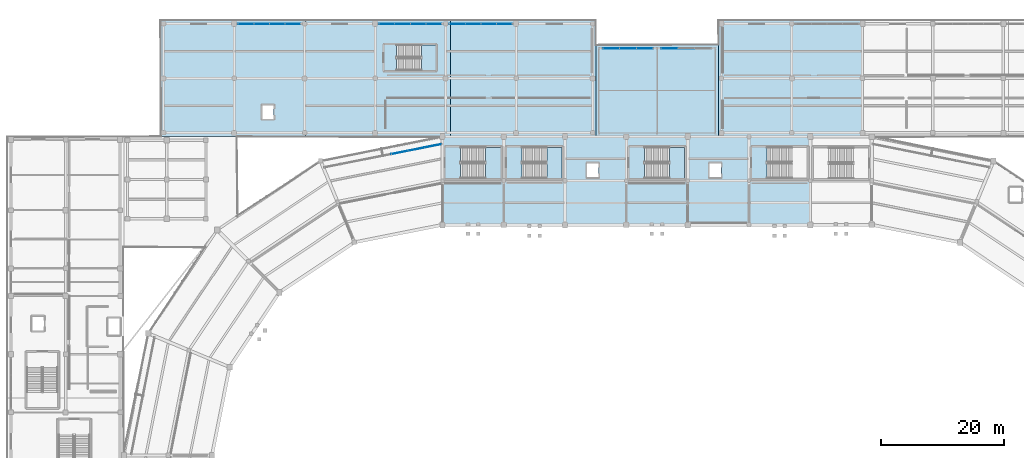
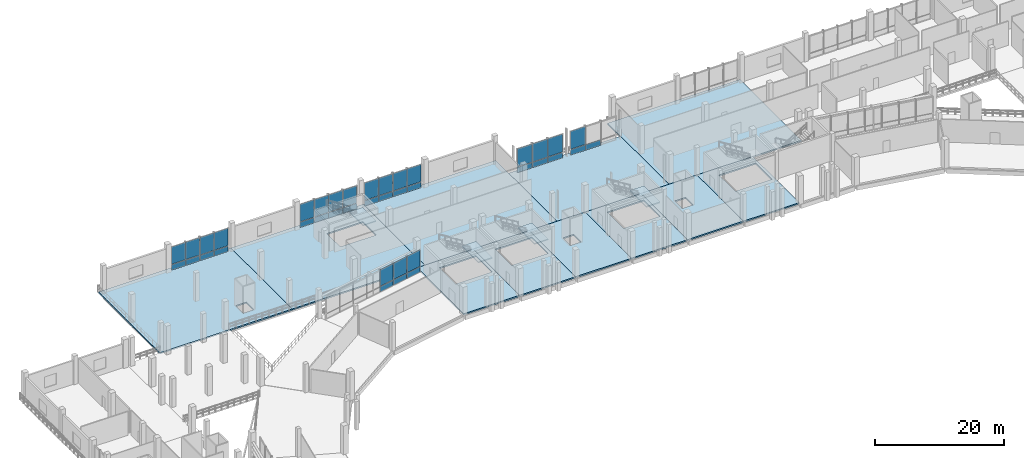
# One storey, part 68 of 114: 39 plates, 15 slabs, 10 elements without a shape of their own.
"""IFC4 building model written with IfcOpenShell, lengths in metres."""

from ifc_helpers import new_model, si_unit, direction, frame, origin, origin_2d, place, context, subcontext, project, spatial, polyline, rectangle, outline, extrude, material, layer, layer_set, type_object, element, aggregate, save


model = new_model("IFC4")

# Units and contexts
model_context = context("Model", 3, precision=1e-05, world=origin(), true_north=direction((0.0, 1.0)))
body_context = subcontext(model_context, "Body", "Model", "MODEL_VIEW")
ifc_project = project(units=[si_unit("LENGTHUNIT", "METRE"), si_unit("AREAUNIT", "SQUARE_METRE"), si_unit("VOLUMEUNIT", "CUBIC_METRE"), si_unit("PLANEANGLEUNIT", "RADIAN"), si_unit("MASSUNIT", "GRAM", prefix="KILO")], contexts=[model_context])

# Site, building, storey
site_placement = place(None, origin())
site = spatial("IfcSite", under=ifc_project, at=site_placement, CompositionType="ELEMENT")
building_placement = place(site_placement, origin())
building = spatial("IfcBuilding", under=site, at=building_placement, Name="Candeia Ridge Stadium", CompositionType="ELEMENT")
storey_placement = place(building_placement, frame((0.0, 0.0, 5.39990234375)))
storey = spatial("IfcBuildingStorey", under=building, at=storey_placement, Name="L01", CompositionType="ELEMENT", Elevation=5.39990234375)

# Slabs
ifc_material_1 = material(Name="Concrete C40/50", Category="concrete")
ifc_layer_1 = layer(ifc_material_1, 0.260009765625, Name="Concrete C40/50", Category="concrete")
ifc_layer_set_1 = layer_set([ifc_layer_1], Name="Concrete C40/50")
slab_type_1 = type_object("IfcSlabType", Name="Concourse Structural Slab 260", PredefinedType="FLOOR", material=ifc_layer_set_1)
slab_1_placement = place(storey_placement, frame((0.0, 0.0, -0.260009765625)))
element("IfcSlab", 1, at=slab_1_placement, inside=storey, type_object=slab_type_1, Name="Bowl concourse sector slab L01 bay 02 SLB-L01-0038", PredefinedType="FLOOR", context=body_context, shape_type="SweptSolid", body=[
    extrude(outline(polyline([(121.0, 132.60009765625), (121.0, 147.0), (131.0, 147.0), (131.0, 132.60009765625), (121.0, 132.60009765625)]), holes=[polyline([(123.95068359375, 145.25), (123.95068359375, 140.199951171875), (130.5, 140.199951171875), (130.5, 145.25), (123.95068359375, 145.25)])]), origin(), (0.0, 0.0, 1.0), 0.260009765625),
])
slab_2_placement = place(storey_placement, frame((0.0, 0.0, -0.260009765625)))
element("IfcSlab", 2, at=slab_2_placement, inside=storey, type_object=slab_type_1, Name="Bowl concourse sector slab L01 bay 03 SLB-L01-0039", PredefinedType="FLOOR", context=body_context, shape_type="SweptSolid", body=[
    extrude(outline(polyline([(111.0, 132.60009765625), (111.0, 147.0), (121.0, 147.0), (121.0, 132.60009765625), (111.0, 132.60009765625)]), holes=[polyline([(116.449951171875, 140.35009765625), (116.449951171875, 142.64990234375), (114.550048828125, 142.64990234375), (114.550048828125, 140.35009765625), (116.449951171875, 140.35009765625)])]), origin(), (0.0, 0.0, 1.0), 0.260009765625),
])
slab_3_placement = place(storey_placement, frame((0.0, 0.0, -0.260009765625)))
element("IfcSlab", 3, at=slab_3_placement, inside=storey, type_object=slab_type_1, Name="Bowl concourse sector slab L01 bay 04 SLB-L01-0040", PredefinedType="FLOOR", context=body_context, shape_type="SweptSolid", body=[
    extrude(outline(polyline([(101.0, 132.60009765625), (101.0, 147.0), (111.0, 147.0), (111.0, 132.60009765625), (101.0, 132.60009765625)]), holes=[polyline([(103.95068359375, 145.25), (103.95068359375, 140.199951171875), (110.5, 140.199951171875), (110.5, 145.25), (103.95068359375, 145.25)])]), origin(), (0.0, 0.0, 1.0), 0.260009765625),
])
slab_4_placement = place(storey_placement, frame((0.0, 0.0, -0.260009765625)))
element("IfcSlab", 4, at=slab_4_placement, inside=storey, type_object=slab_type_1, Name="Bowl concourse sector slab L01 bay 05 SLB-L01-0041", PredefinedType="FLOOR", context=body_context, shape_type="SweptSolid", body=[
    extrude(outline(polyline([(91.0, 132.60009765625), (91.0, 147.0), (101.0, 147.0), (101.0, 132.60009765625), (91.0, 132.60009765625)]), holes=[polyline([(96.449951171875, 140.35009765625), (96.449951171875, 142.64990234375), (94.550048828125, 142.64990234375), (94.550048828125, 140.35009765625), (96.449951171875, 140.35009765625)])]), origin(), (0.0, 0.0, 1.0), 0.260009765625),
])
slab_5_placement = place(storey_placement, frame((0.0, 0.0, -0.260009765625)))
element("IfcSlab", 5, at=slab_5_placement, inside=storey, type_object=slab_type_1, Name="Bowl concourse sector slab L01 bay 06 SLB-L01-0042", PredefinedType="FLOOR", context=body_context, shape_type="SweptSolid", body=[
    extrude(outline(polyline([(81.0, 132.60009765625), (81.0, 147.0), (91.0, 147.0), (91.0, 132.60009765625), (81.0, 132.60009765625)]), holes=[polyline([(83.95068359375, 140.199951171875), (90.5, 140.199951171875), (90.5, 145.25), (83.95068359375, 145.25), (83.95068359375, 140.199951171875)])]), origin(), (0.0, 0.0, 1.0), 0.260009765625),
])
slab_6_placement = place(storey_placement, frame((0.0, 0.0, -0.260009765625)))
element("IfcSlab", 6, at=slab_6_placement, inside=storey, type_object=slab_type_1, Name="Bowl concourse sector slab L01 bay 07 SLB-L01-0043", PredefinedType="FLOOR", context=body_context, shape_type="SweptSolid", body=[
    extrude(outline(polyline([(71.0, 132.60009765625), (71.0, 147.0), (81.0, 147.0), (81.0, 132.60009765625), (71.0, 132.60009765625)]), holes=[polyline([(73.95068359375, 140.199951171875), (80.5, 140.199951171875), (80.5, 145.25), (73.95068359375, 145.25), (73.95068359375, 140.199951171875)])]), origin(), (0.0, 0.0, 1.0), 0.260009765625),
])
slab_7_placement = place(storey_placement, frame((0.0, 0.0, -0.260009765625)))
element("IfcSlab", 7, at=slab_7_placement, inside=storey, type_object=slab_type_1, Name="Wing floor slab nw_n SLB-L01-0232", PredefinedType="FLOOR", context=body_context, shape_type="SweptSolid", body=[
    extrude(outline(polyline([(25.0, 147.0), (25.0, 166.0), (48.666748046875, 166.0), (48.666748046875, 147.0), (25.0, 147.0)]), holes=[polyline([(41.550048828125, 149.85009765625), (43.449951171875, 149.85009765625), (43.449951171875, 152.14990234375), (41.550048828125, 152.14990234375), (41.550048828125, 149.85009765625)])]), origin(), (0.0, 0.0, 1.0), 0.260009765625),
])
slab_8_placement = place(storey_placement, frame((0.0, 0.0, -0.260009765625)))
element("IfcSlab", 8, at=slab_8_placement, inside=storey, type_object=slab_type_1, Name="Wing floor slab nw_n SLB-L01-0233", PredefinedType="FLOOR", context=body_context, shape_type="SweptSolid", body=[
    extrude(outline(polyline([(48.666748046875, 147.0), (48.666748046875, 166.0), (72.333251953125, 166.0), (72.333251953125, 147.0), (48.666748046875, 147.0)]), holes=[polyline([(63.50048828125, 161.949951171875), (63.50048828125, 157.800048828125), (69.89990234375, 157.800048828125), (69.89990234375, 161.949951171875), (63.50048828125, 161.949951171875)])]), origin(), (0.0, 0.0, 1.0), 0.260009765625),
])
slab_9_placement = place(storey_placement, frame((0.0, 0.0, -0.260009765625)))
element("IfcSlab", 9, at=slab_9_placement, inside=storey, type_object=slab_type_1, Name="Wing floor slab nw_n SLB-L01-0234", PredefinedType="FLOOR", context=body_context, shape_type="SweptSolid", body=[
    extrude(outline(polyline([(72.333251953125, 147.0), (72.333251953125, 166.0), (96.0, 166.0), (96.0, 147.0), (72.333251953125, 147.0)])), origin(), (0.0, 0.0, 1.0), 0.260009765625),
])
slab_10_placement = place(storey_placement, frame((0.0, 0.0, -0.260009765625)))
element("IfcSlab", 10, at=slab_10_placement, inside=storey, type_object=slab_type_1, Name="Wing floor slab ne_n SLB-L01-0235", PredefinedType="FLOOR", context=body_context, shape_type="SweptSolid", body=[
    extrude(outline(polyline([(116.0, 147.0), (116.0, 166.0), (139.666748046875, 166.0), (139.666748046875, 147.0), (116.0, 147.0)])), origin(), (0.0, 0.0, 1.0), 0.260009765625),
])

# Stair, slab
stair_type_1 = type_object("IfcStairType", Name="Enclosed Core Half-Turn Stair 2450", PredefinedType="HALF_TURN_STAIR", material=ifc_material_1)
stair_1_placement = place(storey_placement, origin())
stair_1 = element("IfcStair", 11, at=stair_1_placement, inside=storey, type_object=stair_type_1, Name="L01 Enclosed exit stair ST01", PredefinedType="HALF_TURN_STAIR")
ifc_layer_2 = layer(ifc_material_1, 0.199951171875, Name="Concrete C40/50", Category="concrete")
ifc_layer_set_2 = layer_set([ifc_layer_2], Name="Concrete C40/50")
slab_type_2 = type_object("IfcSlabType", Name="Core Stair Landing Slab 200", PredefinedType="LANDING", material=ifc_layer_set_2)
slab_11_placement = place(storey_placement, frame((0.0, 0.0, 2.5)))
slab_11 = element("IfcSlab", 12, at=slab_11_placement, type_object=slab_type_2, Name="ST01 landing 1", PredefinedType="LANDING", context=body_context, shape_type="SweptSolid", body=[
    extrude(outline(polyline([(78.010009765625, 140.199951171875), (80.5, 140.199951171875), (80.5, 145.25), (78.010009765625, 145.25), (78.010009765625, 140.199951171875)])), origin(), (0.0, 0.0, 1.0), 0.2001953125),
])
aggregate(stair_1, [slab_11])

stair_2_placement = place(storey_placement, origin())
stair_2 = element("IfcStair", 13, at=stair_2_placement, inside=storey, type_object=stair_type_1, Name="L01 Enclosed exit stair ST09", PredefinedType="HALF_TURN_STAIR")
slab_12_placement = place(storey_placement, frame((0.0, 0.0, 2.5)))
slab_12 = element("IfcSlab", 14, at=slab_12_placement, type_object=slab_type_2, Name="ST09 landing 1", PredefinedType="LANDING", context=body_context, shape_type="SweptSolid", body=[
    extrude(outline(polyline([(88.010009765625, 140.199951171875), (90.5, 140.199951171875), (90.5, 145.25), (88.010009765625, 145.25), (88.010009765625, 140.199951171875)])), origin(), (0.0, 0.0, 1.0), 0.2001953125),
])
aggregate(stair_2, [slab_12])

stair_type_2 = type_object("IfcStairType", Name="Enclosed Wing Half-Turn Stair 2000", PredefinedType="HALF_TURN_STAIR", material=ifc_material_1)
stair_3_placement = place(storey_placement, origin())
stair_3 = element("IfcStair", 15, at=stair_3_placement, inside=storey, type_object=stair_type_2, Name="L01 Enclosed exit stair ST15", PredefinedType="HALF_TURN_STAIR")
slab_13_placement = place(storey_placement, frame((0.0, 0.0, 2.5)))
slab_13 = element("IfcSlab", 16, at=slab_13_placement, type_object=slab_type_2, Name="ST15 landing 1", PredefinedType="LANDING", context=body_context, shape_type="SweptSolid", body=[
    extrude(outline(polyline([(67.56005859375, 157.800048828125), (69.89990234375, 157.800048828125), (69.89990234375, 161.949951171875), (67.56005859375, 161.949951171875), (67.56005859375, 157.800048828125)])), origin(), (0.0, 0.0, 1.0), 0.2001953125),
])
aggregate(stair_3, [slab_13])

stair_4_placement = place(storey_placement, origin())
stair_4 = element("IfcStair", 17, at=stair_4_placement, inside=storey, type_object=stair_type_1, Name="L01 Enclosed exit stair ST17", PredefinedType="HALF_TURN_STAIR")
slab_14_placement = place(storey_placement, frame((0.0, 0.0, 2.5)))
slab_14 = element("IfcSlab", 18, at=slab_14_placement, type_object=slab_type_2, Name="ST17 landing 1", PredefinedType="LANDING", context=body_context, shape_type="SweptSolid", body=[
    extrude(outline(polyline([(108.010009765625, 140.199951171875), (110.5, 140.199951171875), (110.5, 145.25), (108.010009765625, 145.25), (108.010009765625, 140.199951171875)])), origin(), (0.0, 0.0, 1.0), 0.2001953125),
])
aggregate(stair_4, [slab_14])

# Curtain wall, plates
ifc_material_2 = material(Name="Aluminium Anodized Warm Bronze", Category="aluminium")
curtain_wall_type_1 = type_object("IfcCurtainWallType", Name="Cardinal Entrance Gate Tall Glazed Curtain Wall", PredefinedType="NOTDEFINED", material=ifc_material_2)
curtain_wall_1_placement = place(storey_placement, origin())
curtain_wall_1 = element("IfcCurtainWall", 19, at=curtain_wall_1_placement, inside=storey, type_object=curtain_wall_type_1, Name="Unitised curtain wall CW-WNG-L01-147", PredefinedType="NOTDEFINED")
ifc_material_3 = material(Name="Laminated Acoustic Glazing", Category="glass")
ifc_layer_3 = layer(ifc_material_3, 0.035888671875, Name="Laminated Acoustic Glazing", Category="glass")
ifc_layer_set_3 = layer_set([ifc_layer_3], Name="Laminated Acoustic Glazing")
plate_type_1 = type_object("IfcPlateType", Name="Gate Tall Laminated Glass Panel GP3", PredefinedType="CURTAIN_PANEL", material=ifc_layer_set_3)
plate_1_placement = place(storey_placement, frame((98.523193359375, 161.39990234375, 1.14013671875), z_axis=(0.0, 0.0, 1.0), x_axis=(1.0, 0.0, 0.0)))
plate_1 = element("IfcPlate", 20, at=plate_1_placement, type_object=plate_type_1, Name="Curtain wall vision glass panel CW-WNG-L01-147-GP0", PredefinedType="CURTAIN_PANEL", context=body_context, shape_type="SweptSolid", body=[
    extrude(rectangle(XDim=2.65673828125, YDim=0.035888671875, at=origin_2d()), origin(), (0.0, 0.0, 1.0), 3.412109375),
])
plate_2_placement = place(storey_placement, frame((101.25, 161.39990234375, 1.14013671875), z_axis=(0.0, 0.0, 1.0), x_axis=(1.0, 0.0, 0.0)))
plate_2 = element("IfcPlate", 21, at=plate_2_placement, type_object=plate_type_1, Name="Curtain wall vision glass panel CW-WNG-L01-147-GP1", PredefinedType="CURTAIN_PANEL", context=body_context, shape_type="SweptSolid", body=[
    extrude(rectangle(XDim=2.65673828125, YDim=0.035888671875, at=origin_2d()), origin(), (0.0, 0.0, 1.0), 3.412109375),
])
plate_3_placement = place(storey_placement, frame((103.976806640625, 161.39990234375, 1.14013671875), z_axis=(0.0, 0.0, 1.0), x_axis=(1.0, 0.0, 0.0)))
plate_3 = element("IfcPlate", 22, at=plate_3_placement, type_object=plate_type_1, Name="Curtain wall vision glass panel CW-WNG-L01-147-GP2", PredefinedType="CURTAIN_PANEL", context=body_context, shape_type="SweptSolid", body=[
    extrude(rectangle(XDim=2.65673828125, YDim=0.035888671875, at=origin_2d()), origin(), (0.0, 0.0, 1.0), 3.412109375),
])

# Curtain wall, plate
curtain_wall_2_placement = place(storey_placement, origin())
curtain_wall_2 = element("IfcCurtainWall", 23, at=curtain_wall_2_placement, inside=storey, type_object=curtain_wall_type_1, Name="Unitised curtain wall CW-WNG-L01-148", PredefinedType="NOTDEFINED")
plate_4_placement = place(storey_placement, frame((108.023193359375, 161.39990234375, 1.14013671875), z_axis=(0.0, 0.0, 1.0), x_axis=(1.0, 0.0, 0.0)))
plate_4 = element("IfcPlate", 24, at=plate_4_placement, type_object=plate_type_1, Name="Curtain wall vision glass panel CW-WNG-L01-148-GP0", PredefinedType="CURTAIN_PANEL", context=body_context, shape_type="SweptSolid", body=[
    extrude(rectangle(XDim=2.65673828125, YDim=0.035888671875, at=origin_2d()), origin(), (0.0, 0.0, 1.0), 3.412109375),
])

# Slab
ifc_layer_4 = layer(ifc_material_1, 0.25, Name="Concrete C40/50", Category="concrete")
ifc_layer_set_4 = layer_set([ifc_layer_4], Name="Concrete C40/50")
slab_type_3 = type_object("IfcSlabType", Name="Hospitality & Museum Slab 250", PredefinedType="FLOOR", material=ifc_layer_set_4)
slab_15_placement = place(storey_placement, frame((0.0, 0.0, -0.25)))
element("IfcSlab", 25, at=slab_15_placement, inside=storey, type_object=slab_type_3, Name="Wing floor slab ngate SLB-L01-0238", PredefinedType="FLOOR", context=body_context, shape_type="SweptSolid", body=[
    extrude(outline(polyline([(96.0, 147.0), (96.0, 162.0), (116.0, 162.0), (116.0, 147.0), (96.0, 147.0)])), origin(), (0.0, 0.0, 1.0), 0.25),
])

# Curtain wall, plates
curtain_wall_type_2 = type_object("IfcCurtainWallType", Name="Concourse Recessed Unitised Curtain Wall", PredefinedType="NOTDEFINED", material=ifc_material_2)
curtain_wall_3_placement = place(storey_placement, origin())
curtain_wall_3 = element("IfcCurtainWall", 26, at=curtain_wall_3_placement, inside=storey, type_object=curtain_wall_type_2, Name="Unitised curtain wall CW-BWL-L01-07", PredefinedType="NOTDEFINED")
ifc_material_4 = material(Name="Aluminium Insulated Spandrel", Category="aluminium")
ifc_layer_5 = layer(ifc_material_4, 0.06494140625, Name="Aluminium Insulated Spandrel", Category="aluminium")
ifc_layer_set_5 = layer_set([ifc_layer_5], Name="Aluminium Insulated Spandrel")
plate_type_2 = type_object("IfcPlateType", Name="Insulated Bronze Spandrel Panel SP1", PredefinedType="CURTAIN_PANEL", material=ifc_layer_set_5)
plate_5_placement = place(storey_placement, frame((69.460205078125, 145.49365234375, 0.0400390625), z_axis=(0.0, 0.0, 1.0), x_axis=(-0.980785280696, -0.195090320544, 0.0)))
plate_5 = element("IfcPlate", 27, at=plate_5_placement, type_object=plate_type_2, Name="Curtain wall spandrel panel CW-BWL-L01-07-SP0", PredefinedType="CURTAIN_PANEL", context=body_context, shape_type="SweptSolid", body=[
    extrude(rectangle(XDim=2.710205078125, YDim=0.06494140625, at=origin_2d()), origin(), (0.0, 0.0, 1.0), 0.981201171875),
])
plate_6_placement = place(storey_placement, frame((66.7333984375, 144.951416015625, 0.0400390625), z_axis=(0.0, 0.0, 1.0), x_axis=(-0.980785280696, -0.195090320544, 0.0)))
plate_6 = element("IfcPlate", 28, at=plate_6_placement, type_object=plate_type_2, Name="Curtain wall spandrel panel CW-BWL-L01-07-SP1", PredefinedType="CURTAIN_PANEL", context=body_context, shape_type="SweptSolid", body=[
    extrude(rectangle(XDim=2.710205078125, YDim=0.06494140625, at=origin_2d()), origin(), (0.0, 0.0, 1.0), 0.981201171875),
])
plate_7_placement = place(storey_placement, frame((64.006591796875, 144.408935546875, 0.0400390625), z_axis=(0.0, 0.0, 1.0), x_axis=(-0.980785280696, -0.195090320544, 0.0)))
plate_7 = element("IfcPlate", 29, at=plate_7_placement, type_object=plate_type_2, Name="Curtain wall spandrel panel CW-BWL-L01-07-SP2", PredefinedType="CURTAIN_PANEL", context=body_context, shape_type="SweptSolid", body=[
    extrude(rectangle(XDim=2.710205078125, YDim=0.06494140625, at=origin_2d()), origin(), (0.0, 0.0, 1.0), 0.981201171875),
])

curtain_wall_type_3 = type_object("IfcCurtainWallType", Name="Museum & Boulevard Showcase Curtain Wall", PredefinedType="NOTDEFINED", material=ifc_material_2)
curtain_wall_4_placement = place(storey_placement, origin())
curtain_wall_4 = element("IfcCurtainWall", 30, at=curtain_wall_4_placement, inside=storey, type_object=curtain_wall_type_3, Name="Unitised curtain wall CW-WNG-L01-141", PredefinedType="NOTDEFINED")
ifc_layer_6 = layer(ifc_material_4, 0.06494140625, Name="Aluminium Insulated Spandrel", Category="aluminium")
ifc_layer_set_6 = layer_set([ifc_layer_6], Name="Aluminium Insulated Spandrel")
plate_type_3 = type_object("IfcPlateType", Name="Insulated Cedar-Tone Spandrel Panel SP3", PredefinedType="CURTAIN_PANEL", material=ifc_layer_set_6)
plate_8_placement = place(storey_placement, frame((38.9326171875, 165.39990234375, 0.0400390625), z_axis=(0.0, 0.0, 1.0), x_axis=(1.0, 0.0, 0.0)))
plate_8 = element("IfcPlate", 31, at=plate_8_placement, type_object=plate_type_3, Name="Curtain wall spandrel panel CW-WNG-L01-141-SP0", PredefinedType="CURTAIN_PANEL", context=body_context, shape_type="SweptSolid", body=[
    extrude(rectangle(XDim=2.47509765625, YDim=0.06494140625, at=origin_2d()), origin(), (0.0, 0.0, 1.0), 1.02001953125),
])
plate_9_placement = place(storey_placement, frame((41.4775390625, 165.39990234375, 0.0400390625), z_axis=(0.0, 0.0, 1.0), x_axis=(1.0, 0.0, 0.0)))
plate_9 = element("IfcPlate", 32, at=plate_9_placement, type_object=plate_type_3, Name="Curtain wall spandrel panel CW-WNG-L01-141-SP1", PredefinedType="CURTAIN_PANEL", context=body_context, shape_type="SweptSolid", body=[
    extrude(rectangle(XDim=2.47509765625, YDim=0.06494140625, at=origin_2d()), origin(), (0.0, 0.0, 1.0), 1.02001953125),
])
plate_10_placement = place(storey_placement, frame((44.0224609375, 165.39990234375, 0.0400390625), z_axis=(0.0, 0.0, 1.0), x_axis=(1.0, 0.0, 0.0)))
plate_10 = element("IfcPlate", 33, at=plate_10_placement, type_object=plate_type_3, Name="Curtain wall spandrel panel CW-WNG-L01-141-SP2", PredefinedType="CURTAIN_PANEL", context=body_context, shape_type="SweptSolid", body=[
    extrude(rectangle(XDim=2.47509765625, YDim=0.06494140625, at=origin_2d()), origin(), (0.0, 0.0, 1.0), 1.02001953125),
])
plate_11_placement = place(storey_placement, frame((46.5673828125, 165.39990234375, 0.0400390625), z_axis=(0.0, 0.0, 1.0), x_axis=(1.0, 0.0, 0.0)))
plate_11 = element("IfcPlate", 34, at=plate_11_placement, type_object=plate_type_3, Name="Curtain wall spandrel panel CW-WNG-L01-141-SP3", PredefinedType="CURTAIN_PANEL", context=body_context, shape_type="SweptSolid", body=[
    extrude(rectangle(XDim=2.47509765625, YDim=0.06494140625, at=origin_2d()), origin(), (0.0, 0.0, 1.0), 1.02001953125),
])

curtain_wall_5_placement = place(storey_placement, origin())
curtain_wall_5 = element("IfcCurtainWall", 35, at=curtain_wall_5_placement, inside=storey, type_object=curtain_wall_type_3, Name="Unitised curtain wall CW-WNG-L01-142", PredefinedType="NOTDEFINED")
plate_12_placement = place(storey_placement, frame((61.9326171875, 165.39990234375, 0.0400390625), z_axis=(0.0, 0.0, 1.0), x_axis=(1.0, 0.0, 0.0)))
plate_12 = element("IfcPlate", 36, at=plate_12_placement, type_object=plate_type_3, Name="Curtain wall spandrel panel CW-WNG-L01-142-SP0", PredefinedType="CURTAIN_PANEL", context=body_context, shape_type="SweptSolid", body=[
    extrude(rectangle(XDim=2.47509765625, YDim=0.06494140625, at=origin_2d()), origin(), (0.0, 0.0, 1.0), 1.02001953125),
])
plate_13_placement = place(storey_placement, frame((64.4775390625, 165.39990234375, 0.0400390625), z_axis=(0.0, 0.0, 1.0), x_axis=(1.0, 0.0, 0.0)))
plate_13 = element("IfcPlate", 37, at=plate_13_placement, type_object=plate_type_3, Name="Curtain wall spandrel panel CW-WNG-L01-142-SP1", PredefinedType="CURTAIN_PANEL", context=body_context, shape_type="SweptSolid", body=[
    extrude(rectangle(XDim=2.47509765625, YDim=0.06494140625, at=origin_2d()), origin(), (0.0, 0.0, 1.0), 1.02001953125),
])
plate_14_placement = place(storey_placement, frame((67.0224609375, 165.39990234375, 0.0400390625), z_axis=(0.0, 0.0, 1.0), x_axis=(1.0, 0.0, 0.0)))
plate_14 = element("IfcPlate", 38, at=plate_14_placement, type_object=plate_type_3, Name="Curtain wall spandrel panel CW-WNG-L01-142-SP2", PredefinedType="CURTAIN_PANEL", context=body_context, shape_type="SweptSolid", body=[
    extrude(rectangle(XDim=2.47509765625, YDim=0.06494140625, at=origin_2d()), origin(), (0.0, 0.0, 1.0), 1.02001953125),
])
plate_15_placement = place(storey_placement, frame((69.5673828125, 165.39990234375, 0.0400390625), z_axis=(0.0, 0.0, 1.0), x_axis=(1.0, 0.0, 0.0)))
plate_15 = element("IfcPlate", 39, at=plate_15_placement, type_object=plate_type_3, Name="Curtain wall spandrel panel CW-WNG-L01-142-SP3", PredefinedType="CURTAIN_PANEL", context=body_context, shape_type="SweptSolid", body=[
    extrude(rectangle(XDim=2.47509765625, YDim=0.06494140625, at=origin_2d()), origin(), (0.0, 0.0, 1.0), 1.02001953125),
])

curtain_wall_6_placement = place(storey_placement, origin())
curtain_wall_6 = element("IfcCurtainWall", 40, at=curtain_wall_6_placement, inside=storey, type_object=curtain_wall_type_3, Name="Unitised curtain wall CW-WNG-L01-143", PredefinedType="NOTDEFINED")
plate_16_placement = place(storey_placement, frame((73.4326171875, 165.39990234375, 0.0400390625), z_axis=(0.0, 0.0, 1.0), x_axis=(1.0, 0.0, 0.0)))
plate_16 = element("IfcPlate", 41, at=plate_16_placement, type_object=plate_type_3, Name="Curtain wall spandrel panel CW-WNG-L01-143-SP0", PredefinedType="CURTAIN_PANEL", context=body_context, shape_type="SweptSolid", body=[
    extrude(rectangle(XDim=2.47509765625, YDim=0.06494140625, at=origin_2d()), origin(), (0.0, 0.0, 1.0), 1.02001953125),
])
plate_17_placement = place(storey_placement, frame((75.9775390625, 165.39990234375, 0.0400390625), z_axis=(0.0, 0.0, 1.0), x_axis=(1.0, 0.0, 0.0)))
plate_17 = element("IfcPlate", 42, at=plate_17_placement, type_object=plate_type_3, Name="Curtain wall spandrel panel CW-WNG-L01-143-SP1", PredefinedType="CURTAIN_PANEL", context=body_context, shape_type="SweptSolid", body=[
    extrude(rectangle(XDim=2.47509765625, YDim=0.06494140625, at=origin_2d()), origin(), (0.0, 0.0, 1.0), 1.02001953125),
])
plate_18_placement = place(storey_placement, frame((78.5224609375, 165.39990234375, 0.0400390625), z_axis=(0.0, 0.0, 1.0), x_axis=(1.0, 0.0, 0.0)))
plate_18 = element("IfcPlate", 43, at=plate_18_placement, type_object=plate_type_3, Name="Curtain wall spandrel panel CW-WNG-L01-143-SP2", PredefinedType="CURTAIN_PANEL", context=body_context, shape_type="SweptSolid", body=[
    extrude(rectangle(XDim=2.47509765625, YDim=0.06494140625, at=origin_2d()), origin(), (0.0, 0.0, 1.0), 1.02001953125),
])
plate_19_placement = place(storey_placement, frame((81.0673828125, 165.39990234375, 0.0400390625), z_axis=(0.0, 0.0, 1.0), x_axis=(1.0, 0.0, 0.0)))
plate_19 = element("IfcPlate", 44, at=plate_19_placement, type_object=plate_type_3, Name="Curtain wall spandrel panel CW-WNG-L01-143-SP3", PredefinedType="CURTAIN_PANEL", context=body_context, shape_type="SweptSolid", body=[
    extrude(rectangle(XDim=2.47509765625, YDim=0.06494140625, at=origin_2d()), origin(), (0.0, 0.0, 1.0), 1.02001953125),
])

# Plate
plate_20_placement = place(storey_placement, frame((98.523193359375, 161.39990234375, 0.0400390625), z_axis=(0.0, 0.0, 1.0), x_axis=(1.0, 0.0, 0.0)))
plate_20 = element("IfcPlate", 45, at=plate_20_placement, type_object=plate_type_3, Name="Curtain wall spandrel panel CW-WNG-L01-147-SP0", PredefinedType="CURTAIN_PANEL", context=body_context, shape_type="SweptSolid", body=[
    extrude(rectangle(XDim=2.65673828125, YDim=0.06494140625, at=origin_2d()), origin(), (0.0, 0.0, 1.0), 1.02001953125),
])

plate_21_placement = place(storey_placement, frame((101.25, 161.39990234375, 0.0400390625), z_axis=(0.0, 0.0, 1.0), x_axis=(1.0, 0.0, 0.0)))
plate_21 = element("IfcPlate", 46, at=plate_21_placement, type_object=plate_type_3, Name="Curtain wall spandrel panel CW-WNG-L01-147-SP1", PredefinedType="CURTAIN_PANEL", context=body_context, shape_type="SweptSolid", body=[
    extrude(rectangle(XDim=2.65673828125, YDim=0.06494140625, at=origin_2d()), origin(), (0.0, 0.0, 1.0), 1.02001953125),
])

plate_22_placement = place(storey_placement, frame((103.976806640625, 161.39990234375, 0.0400390625), z_axis=(0.0, 0.0, 1.0), x_axis=(1.0, 0.0, 0.0)))
plate_22 = element("IfcPlate", 47, at=plate_22_placement, type_object=plate_type_3, Name="Curtain wall spandrel panel CW-WNG-L01-147-SP2", PredefinedType="CURTAIN_PANEL", context=body_context, shape_type="SweptSolid", body=[
    extrude(rectangle(XDim=2.65673828125, YDim=0.06494140625, at=origin_2d()), origin(), (0.0, 0.0, 1.0), 1.02001953125),
])

aggregate(curtain_wall_1, [plate_20, plate_1, plate_21, plate_2, plate_22, plate_3])

plate_23_placement = place(storey_placement, frame((108.023193359375, 161.39990234375, 0.0400390625), z_axis=(0.0, 0.0, 1.0), x_axis=(1.0, 0.0, 0.0)))
plate_23 = element("IfcPlate", 48, at=plate_23_placement, type_object=plate_type_3, Name="Curtain wall spandrel panel CW-WNG-L01-148-SP0", PredefinedType="CURTAIN_PANEL", context=body_context, shape_type="SweptSolid", body=[
    extrude(rectangle(XDim=2.65673828125, YDim=0.06494140625, at=origin_2d()), origin(), (0.0, 0.0, 1.0), 1.02001953125),
])

plate_24_placement = place(storey_placement, frame((110.75, 161.39990234375, 0.0400390625), z_axis=(0.0, 0.0, 1.0), x_axis=(1.0, 0.0, 0.0)))
plate_24 = element("IfcPlate", 49, at=plate_24_placement, type_object=plate_type_3, Name="Curtain wall spandrel panel CW-WNG-L01-148-SP1", PredefinedType="CURTAIN_PANEL", context=body_context, shape_type="SweptSolid", body=[
    extrude(rectangle(XDim=2.65673828125, YDim=0.06494140625, at=origin_2d()), origin(), (0.0, 0.0, 1.0), 1.02001953125),
])

aggregate(curtain_wall_2, [plate_23, plate_4, plate_24])

ifc_material_5 = material(Name="Tempered Low-E Double Glazing", Category="glass")
ifc_layer_7 = layer(ifc_material_5, 0.035888671875, Name="Tempered Low-E Double Glazing", Category="glass")
ifc_layer_set_7 = layer_set([ifc_layer_7], Name="Tempered Low-E Double Glazing")
plate_type_4 = type_object("IfcPlateType", Name="Pavilion Panorama Glass Panel GP4", PredefinedType="CURTAIN_PANEL", material=ifc_layer_set_7)
plate_25_placement = place(storey_placement, frame((38.9326171875, 165.39990234375, 1.14013671875), z_axis=(0.0, 0.0, 1.0), x_axis=(1.0, 0.0, 0.0)))
plate_25 = element("IfcPlate", 50, at=plate_25_placement, type_object=plate_type_4, Name="Curtain wall vision glass panel CW-WNG-L01-141-GP0", PredefinedType="CURTAIN_PANEL", context=body_context, shape_type="SweptSolid", body=[
    extrude(rectangle(XDim=2.47509765625, YDim=0.035888671875, at=origin_2d()), origin(), (0.0, 0.0, 1.0), 3.294921875),
])

plate_26_placement = place(storey_placement, frame((41.4775390625, 165.39990234375, 1.14013671875), z_axis=(0.0, 0.0, 1.0), x_axis=(1.0, 0.0, 0.0)))
plate_26 = element("IfcPlate", 51, at=plate_26_placement, type_object=plate_type_4, Name="Curtain wall vision glass panel CW-WNG-L01-141-GP1", PredefinedType="CURTAIN_PANEL", context=body_context, shape_type="SweptSolid", body=[
    extrude(rectangle(XDim=2.47509765625, YDim=0.035888671875, at=origin_2d()), origin(), (0.0, 0.0, 1.0), 3.294921875),
])

plate_27_placement = place(storey_placement, frame((44.0224609375, 165.39990234375, 1.14013671875), z_axis=(0.0, 0.0, 1.0), x_axis=(1.0, 0.0, 0.0)))
plate_27 = element("IfcPlate", 52, at=plate_27_placement, type_object=plate_type_4, Name="Curtain wall vision glass panel CW-WNG-L01-141-GP2", PredefinedType="CURTAIN_PANEL", context=body_context, shape_type="SweptSolid", body=[
    extrude(rectangle(XDim=2.47509765625, YDim=0.035888671875, at=origin_2d()), origin(), (0.0, 0.0, 1.0), 3.294921875),
])

plate_28_placement = place(storey_placement, frame((46.5673828125, 165.39990234375, 1.14013671875), z_axis=(0.0, 0.0, 1.0), x_axis=(1.0, 0.0, 0.0)))
plate_28 = element("IfcPlate", 53, at=plate_28_placement, type_object=plate_type_4, Name="Curtain wall vision glass panel CW-WNG-L01-141-GP3", PredefinedType="CURTAIN_PANEL", context=body_context, shape_type="SweptSolid", body=[
    extrude(rectangle(XDim=2.47509765625, YDim=0.035888671875, at=origin_2d()), origin(), (0.0, 0.0, 1.0), 3.294921875),
])

aggregate(curtain_wall_4, [plate_8, plate_25, plate_9, plate_26, plate_10, plate_27, plate_11, plate_28])

plate_29_placement = place(storey_placement, frame((61.9326171875, 165.39990234375, 1.14013671875), z_axis=(0.0, 0.0, 1.0), x_axis=(1.0, 0.0, 0.0)))
plate_29 = element("IfcPlate", 54, at=plate_29_placement, type_object=plate_type_4, Name="Curtain wall vision glass panel CW-WNG-L01-142-GP0", PredefinedType="CURTAIN_PANEL", context=body_context, shape_type="SweptSolid", body=[
    extrude(rectangle(XDim=2.47509765625, YDim=0.035888671875, at=origin_2d()), origin(), (0.0, 0.0, 1.0), 3.294921875),
])

plate_30_placement = place(storey_placement, frame((64.4775390625, 165.39990234375, 1.14013671875), z_axis=(0.0, 0.0, 1.0), x_axis=(1.0, 0.0, 0.0)))
plate_30 = element("IfcPlate", 55, at=plate_30_placement, type_object=plate_type_4, Name="Curtain wall vision glass panel CW-WNG-L01-142-GP1", PredefinedType="CURTAIN_PANEL", context=body_context, shape_type="SweptSolid", body=[
    extrude(rectangle(XDim=2.47509765625, YDim=0.035888671875, at=origin_2d()), origin(), (0.0, 0.0, 1.0), 3.294921875),
])

plate_31_placement = place(storey_placement, frame((67.0224609375, 165.39990234375, 1.14013671875), z_axis=(0.0, 0.0, 1.0), x_axis=(1.0, 0.0, 0.0)))
plate_31 = element("IfcPlate", 56, at=plate_31_placement, type_object=plate_type_4, Name="Curtain wall vision glass panel CW-WNG-L01-142-GP2", PredefinedType="CURTAIN_PANEL", context=body_context, shape_type="SweptSolid", body=[
    extrude(rectangle(XDim=2.47509765625, YDim=0.035888671875, at=origin_2d()), origin(), (0.0, 0.0, 1.0), 3.294921875),
])

plate_32_placement = place(storey_placement, frame((69.5673828125, 165.39990234375, 1.14013671875), z_axis=(0.0, 0.0, 1.0), x_axis=(1.0, 0.0, 0.0)))
plate_32 = element("IfcPlate", 57, at=plate_32_placement, type_object=plate_type_4, Name="Curtain wall vision glass panel CW-WNG-L01-142-GP3", PredefinedType="CURTAIN_PANEL", context=body_context, shape_type="SweptSolid", body=[
    extrude(rectangle(XDim=2.47509765625, YDim=0.035888671875, at=origin_2d()), origin(), (0.0, 0.0, 1.0), 3.294921875),
])

aggregate(curtain_wall_5, [plate_12, plate_29, plate_13, plate_30, plate_14, plate_31, plate_15, plate_32])

plate_33_placement = place(storey_placement, frame((73.4326171875, 165.39990234375, 1.14013671875), z_axis=(0.0, 0.0, 1.0), x_axis=(1.0, 0.0, 0.0)))
plate_33 = element("IfcPlate", 58, at=plate_33_placement, type_object=plate_type_4, Name="Curtain wall vision glass panel CW-WNG-L01-143-GP0", PredefinedType="CURTAIN_PANEL", context=body_context, shape_type="SweptSolid", body=[
    extrude(rectangle(XDim=2.47509765625, YDim=0.035888671875, at=origin_2d()), origin(), (0.0, 0.0, 1.0), 3.294921875),
])

plate_34_placement = place(storey_placement, frame((75.9775390625, 165.39990234375, 1.14013671875), z_axis=(0.0, 0.0, 1.0), x_axis=(1.0, 0.0, 0.0)))
plate_34 = element("IfcPlate", 59, at=plate_34_placement, type_object=plate_type_4, Name="Curtain wall vision glass panel CW-WNG-L01-143-GP1", PredefinedType="CURTAIN_PANEL", context=body_context, shape_type="SweptSolid", body=[
    extrude(rectangle(XDim=2.47509765625, YDim=0.035888671875, at=origin_2d()), origin(), (0.0, 0.0, 1.0), 3.294921875),
])

plate_35_placement = place(storey_placement, frame((78.5224609375, 165.39990234375, 1.14013671875), z_axis=(0.0, 0.0, 1.0), x_axis=(1.0, 0.0, 0.0)))
plate_35 = element("IfcPlate", 60, at=plate_35_placement, type_object=plate_type_4, Name="Curtain wall vision glass panel CW-WNG-L01-143-GP2", PredefinedType="CURTAIN_PANEL", context=body_context, shape_type="SweptSolid", body=[
    extrude(rectangle(XDim=2.47509765625, YDim=0.035888671875, at=origin_2d()), origin(), (0.0, 0.0, 1.0), 3.294921875),
])

plate_36_placement = place(storey_placement, frame((81.0673828125, 165.39990234375, 1.14013671875), z_axis=(0.0, 0.0, 1.0), x_axis=(1.0, 0.0, 0.0)))
plate_36 = element("IfcPlate", 61, at=plate_36_placement, type_object=plate_type_4, Name="Curtain wall vision glass panel CW-WNG-L01-143-GP3", PredefinedType="CURTAIN_PANEL", context=body_context, shape_type="SweptSolid", body=[
    extrude(rectangle(XDim=2.47509765625, YDim=0.035888671875, at=origin_2d()), origin(), (0.0, 0.0, 1.0), 3.294921875),
])

aggregate(curtain_wall_6, [plate_16, plate_33, plate_17, plate_34, plate_18, plate_35, plate_19, plate_36])

ifc_layer_8 = layer(ifc_material_5, 0.035888671875, Name="Tempered Low-E Double Glazing", Category="glass")
ifc_layer_set_8 = layer_set([ifc_layer_8], Name="Tempered Low-E Double Glazing")
plate_type_5 = type_object("IfcPlateType", Name="Solar Control Vision Glass Panel GP5", PredefinedType="CURTAIN_PANEL", material=ifc_layer_set_8)
plate_37_placement = place(storey_placement, frame((69.460205078125, 145.49365234375, 1.10107421875), z_axis=(0.0, 0.0, 1.0), x_axis=(-0.980785280696, -0.195090320544, 0.0)))
plate_37 = element("IfcPlate", 62, at=plate_37_placement, type_object=plate_type_5, Name="Curtain wall vision glass panel CW-BWL-L01-07-GP0", PredefinedType="CURTAIN_PANEL", context=body_context, shape_type="SweptSolid", body=[
    extrude(rectangle(XDim=2.710205078125, YDim=0.035888671875, at=origin_2d()), origin(), (0.0, 0.0, 1.0), 3.103759765625),
])

plate_38_placement = place(storey_placement, frame((66.7333984375, 144.951416015625, 1.10107421875), z_axis=(0.0, 0.0, 1.0), x_axis=(-0.980785280696, -0.195090320544, 0.0)))
plate_38 = element("IfcPlate", 63, at=plate_38_placement, type_object=plate_type_5, Name="Curtain wall vision glass panel CW-BWL-L01-07-GP1", PredefinedType="CURTAIN_PANEL", context=body_context, shape_type="SweptSolid", body=[
    extrude(rectangle(XDim=2.710205078125, YDim=0.035888671875, at=origin_2d()), origin(), (0.0, 0.0, 1.0), 3.103759765625),
])

plate_39_placement = place(storey_placement, frame((64.006591796875, 144.408935546875, 1.10107421875), z_axis=(0.0, 0.0, 1.0), x_axis=(-0.980785280696, -0.195090320544, 0.0)))
plate_39 = element("IfcPlate", 64, at=plate_39_placement, type_object=plate_type_5, Name="Curtain wall vision glass panel CW-BWL-L01-07-GP2", PredefinedType="CURTAIN_PANEL", context=body_context, shape_type="SweptSolid", body=[
    extrude(rectangle(XDim=2.710205078125, YDim=0.035888671875, at=origin_2d()), origin(), (0.0, 0.0, 1.0), 3.103759765625),
])

aggregate(curtain_wall_3, [plate_5, plate_37, plate_6, plate_38, plate_7, plate_39])

save(model, "model.ifc")
